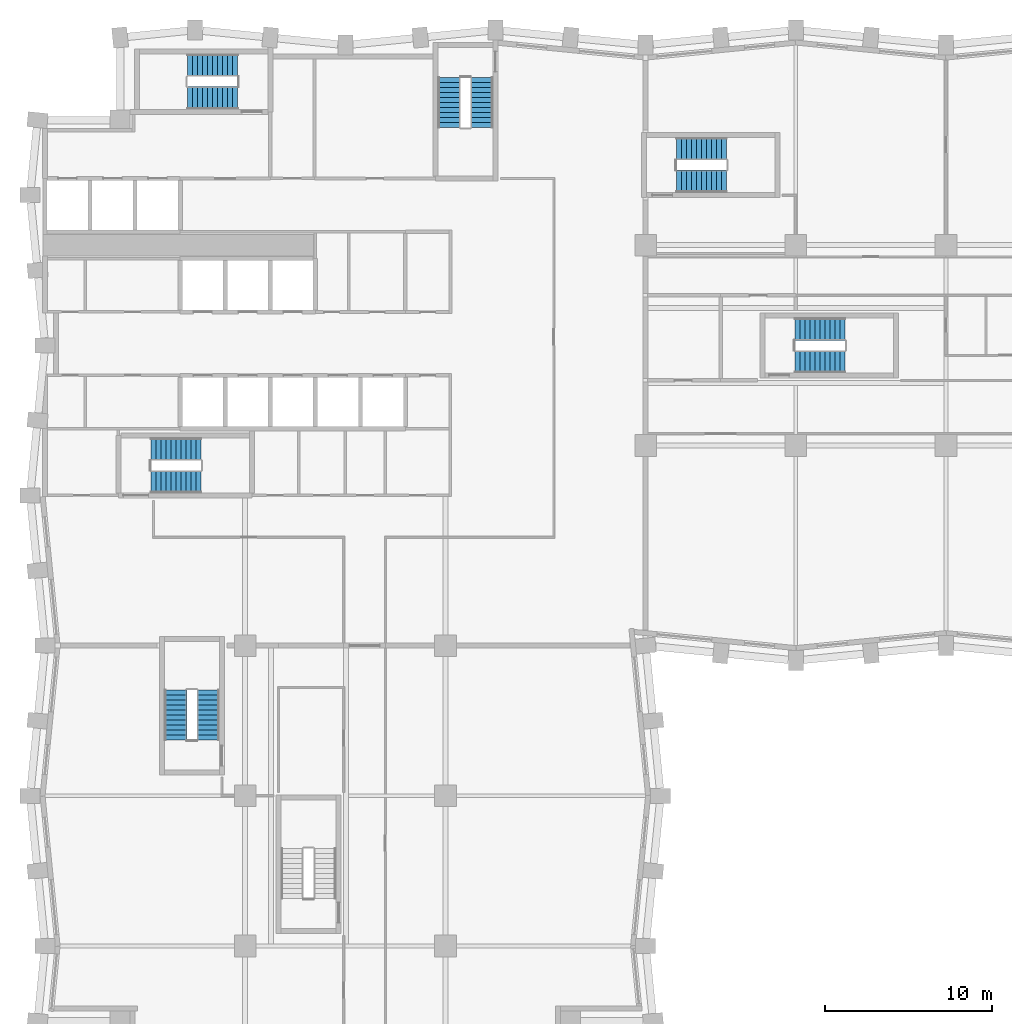
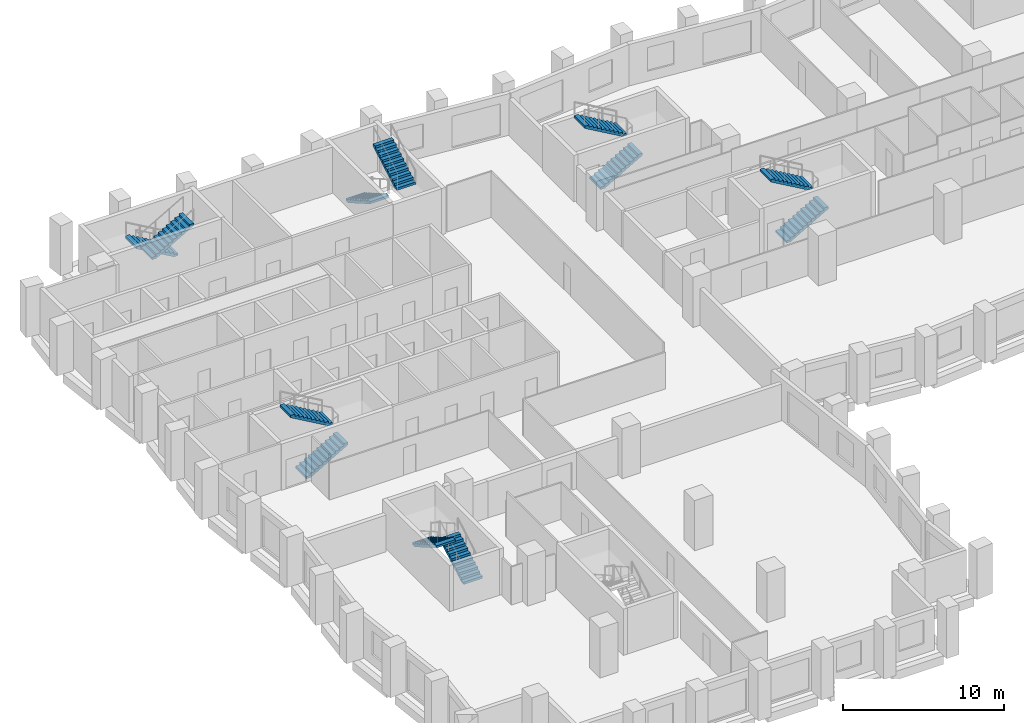
# One storey, part 9 of 11: 12 stair flights, 6 elements without a shape of their own.
"""IFC4 building model written with IfcOpenShell, lengths in metres."""

from ifc_helpers import new_model, si_unit, direction, frame, origin, place, context, subcontext, project, spatial, polyline, outline, extrude, material, type_object, element, aggregate, save


model = new_model("IFC4")

# Units and contexts
model_context = context("Model", 3, precision=1e-05, world=origin(), true_north=direction((0.0, 1.0)))
body_context = subcontext(model_context, "Body", "Model", "MODEL_VIEW")
ifc_project = project(units=[si_unit("LENGTHUNIT", "METRE"), si_unit("AREAUNIT", "SQUARE_METRE"), si_unit("VOLUMEUNIT", "CUBIC_METRE"), si_unit("PLANEANGLEUNIT", "RADIAN"), si_unit("MASSUNIT", "GRAM", prefix="KILO")], contexts=[model_context])

# Site, building, storey
site_placement = place(None, origin())
site = spatial("IfcSite", under=ifc_project, at=site_placement, CompositionType="ELEMENT")
building_placement = place(site_placement, origin())
building = spatial("IfcBuilding", under=site, at=building_placement, Name="Brondeck Convention Tower", CompositionType="ELEMENT")
storey_placement = place(building_placement, frame((0.0, 0.0, 118.89990234375)))
storey = spatial("IfcBuildingStorey", under=building, at=storey_placement, Name="L28", CompositionType="ELEMENT", Elevation=118.89990234375)

# Stair, stair flights
ifc_material = material(Name="Precast concrete C50/60", Category="concrete")
stair_type = type_object("IfcStairType", Name="Core stair 22 risers 172.73 mm riser 300 mm going 1350 wide", PredefinedType="HALF_TURN_STAIR", material=ifc_material)
stair_1_placement = place(storey_placement, origin())
stair_1 = element("IfcStair", 1, at=stair_1_placement, inside=storey, type_object=stair_type, Name="ST-1 L28 stair", PredefinedType="HALF_TURN_STAIR")
stair_flight_type = type_object("IfcStairFlightType", Name="Core stair flight 22 risers 172.73 mm riser 300 mm going 1350 wide", PredefinedType="STRAIGHT", material=ifc_material)
stair_flight_1_placement = place(storey_placement, frame((6.35009765625, 36.824951171875, 0.0), z_axis=(0.0, 0.0, 1.0), x_axis=(1.0, 0.0, 0.0)))
stair_flight_1 = element("IfcStairFlight", 2, at=stair_flight_1_placement, type_object=stair_flight_type, Name="ST-1 flight 1", NumberOfRisers=11, NumberOfTreads=10, PredefinedType="STRAIGHT", RiserHeight=0.172727273, TreadLength=0.3, context=body_context, shape_type="SweptSolid", body=[
    extrude(outline(polyline([(0.0, 0.0), (0.0, 0.172607421875), (0.300048828125, 0.172607421875), (0.300048828125, 0.345458984375), (0.60009765625, 0.345458984375), (0.60009765625, 0.51806640625), (0.89990234375, 0.51806640625), (0.89990234375, 0.69091796875), (1.199951171875, 0.69091796875), (1.199951171875, 0.863525390625), (1.5, 0.863525390625), (1.5, 1.036376953125), (1.800048828125, 1.036376953125), (1.800048828125, 1.208984375), (2.10009765625, 1.208984375), (2.10009765625, 1.3818359375), (2.39990234375, 1.3818359375), (2.39990234375, 1.554443359375), (2.699951171875, 1.554443359375), (2.699951171875, 1.727294921875), (3.0, 1.727294921875), (3.0, 1.89990234375), (3.0, 1.55419921875), (0.300537109375, 0.0), (0.0, 0.0)])), frame((0.0, 0.675048828125, 0.0), z_axis=(0.0, -1.0, 0.0), x_axis=(1.0, 0.0, 0.0)), (0.0, 0.0, 1.0), 1.35009765625),
])
stair_flight_2_placement = place(storey_placement, frame((9.35009765625, 38.77490234375, 1.900146484375), z_axis=(0.0, 0.0, 1.0), x_axis=(-1.0, 0.0, 0.0)))
stair_flight_2 = element("IfcStairFlight", 3, at=stair_flight_2_placement, type_object=stair_flight_type, Name="ST-1 flight 2", NumberOfRisers=11, NumberOfTreads=10, PredefinedType="STRAIGHT", RiserHeight=0.172727273, TreadLength=0.3, context=body_context, shape_type="SweptSolid", body=[
    extrude(outline(polyline([(0.0, 0.0), (0.0, 0.172607421875), (0.300048828125, 0.172607421875), (0.300048828125, 0.345458984375), (0.60009765625, 0.345458984375), (0.60009765625, 0.51806640625), (0.89990234375, 0.51806640625), (0.89990234375, 0.69091796875), (1.199951171875, 0.69091796875), (1.199951171875, 0.863525390625), (1.5, 0.863525390625), (1.5, 1.036376953125), (1.800048828125, 1.036376953125), (1.800048828125, 1.208984375), (2.10009765625, 1.208984375), (2.10009765625, 1.3818359375), (2.39990234375, 1.3818359375), (2.39990234375, 1.554443359375), (2.699951171875, 1.554443359375), (2.699951171875, 1.727294921875), (3.0, 1.727294921875), (3.0, 1.89990234375), (3.0, 1.55419921875), (0.300537109375, 0.0), (0.0, 0.0)])), frame((0.0, 0.675048828125, 0.0), z_axis=(0.0, -1.0, 0.0), x_axis=(1.0, 0.0, 0.0)), (0.0, 0.0, 1.0), 1.35009765625),
])
aggregate(stair_1, [stair_flight_1, stair_flight_2])

stair_2_placement = place(storey_placement, origin())
stair_2 = element("IfcStair", 4, at=stair_2_placement, inside=storey, type_object=stair_type, Name="ST-2 L28 stair", PredefinedType="HALF_TURN_STAIR")
stair_flight_3_placement = place(storey_placement, frame((24.22509765625, 61.050048828125, 0.0), z_axis=(0.0, 0.0, 1.0), x_axis=(0.0, -1.0, 0.0)))
stair_flight_3 = element("IfcStairFlight", 5, at=stair_flight_3_placement, type_object=stair_flight_type, Name="ST-2 flight 1", NumberOfRisers=11, NumberOfTreads=10, PredefinedType="STRAIGHT", RiserHeight=0.172727273, TreadLength=0.3, context=body_context, shape_type="SweptSolid", body=[
    extrude(outline(polyline([(0.0, 0.0), (0.0, 0.172607421875), (0.300048828125, 0.172607421875), (0.300048828125, 0.345458984375), (0.60009765625, 0.345458984375), (0.60009765625, 0.51806640625), (0.89990234375, 0.51806640625), (0.89990234375, 0.69091796875), (1.199951171875, 0.69091796875), (1.199951171875, 0.863525390625), (1.5, 0.863525390625), (1.5, 1.036376953125), (1.800048828125, 1.036376953125), (1.800048828125, 1.208984375), (2.10009765625, 1.208984375), (2.10009765625, 1.3818359375), (2.39990234375, 1.3818359375), (2.39990234375, 1.554443359375), (2.699951171875, 1.554443359375), (2.699951171875, 1.727294921875), (3.0, 1.727294921875), (3.0, 1.89990234375), (3.0, 1.55419921875), (0.300537109375, 0.0), (0.0, 0.0)])), frame((0.0, 0.675048828125, 0.0), z_axis=(0.0, -1.0, 0.0), x_axis=(1.0, 0.0, 0.0)), (0.0, 0.0, 1.0), 1.35009765625),
])
stair_flight_4_placement = place(storey_placement, frame((26.175048828125, 58.050048828125, 1.900146484375), z_axis=(0.0, 0.0, 1.0), x_axis=(0.0, 1.0, 0.0)))
stair_flight_4 = element("IfcStairFlight", 6, at=stair_flight_4_placement, type_object=stair_flight_type, Name="ST-2 flight 2", NumberOfRisers=11, NumberOfTreads=10, PredefinedType="STRAIGHT", RiserHeight=0.172727273, TreadLength=0.3, context=body_context, shape_type="SweptSolid", body=[
    extrude(outline(polyline([(0.0, 0.0), (0.0, 0.172607421875), (0.300048828125, 0.172607421875), (0.300048828125, 0.345458984375), (0.60009765625, 0.345458984375), (0.60009765625, 0.51806640625), (0.89990234375, 0.51806640625), (0.89990234375, 0.69091796875), (1.199951171875, 0.69091796875), (1.199951171875, 0.863525390625), (1.5, 0.863525390625), (1.5, 1.036376953125), (1.800048828125, 1.036376953125), (1.800048828125, 1.208984375), (2.10009765625, 1.208984375), (2.10009765625, 1.3818359375), (2.39990234375, 1.3818359375), (2.39990234375, 1.554443359375), (2.699951171875, 1.554443359375), (2.699951171875, 1.727294921875), (3.0, 1.727294921875), (3.0, 1.89990234375), (3.0, 1.55419921875), (0.300537109375, 0.0), (0.0, 0.0)])), frame((0.0, 0.675048828125, 0.0), z_axis=(0.0, -1.0, 0.0), x_axis=(1.0, 0.0, 0.0)), (0.0, 0.0, 1.0), 1.35009765625),
])
aggregate(stair_2, [stair_flight_3, stair_flight_4])

stair_3_placement = place(storey_placement, origin())
stair_3 = element("IfcStair", 7, at=stair_3_placement, inside=storey, type_object=stair_type, Name="ST-3 L28 stair", PredefinedType="HALF_TURN_STAIR")
stair_flight_5_placement = place(storey_placement, frame((11.550048828125, 61.77490234375, 0.0), z_axis=(0.0, 0.0, 1.0), x_axis=(-1.0, 0.0, 0.0)))
stair_flight_5 = element("IfcStairFlight", 8, at=stair_flight_5_placement, type_object=stair_flight_type, Name="ST-3 flight 1", NumberOfRisers=11, NumberOfTreads=10, PredefinedType="STRAIGHT", RiserHeight=0.172727273, TreadLength=0.3, context=body_context, shape_type="SweptSolid", body=[
    extrude(outline(polyline([(0.0, 0.0), (0.0, 0.172607421875), (0.300048828125, 0.172607421875), (0.300048828125, 0.345458984375), (0.60009765625, 0.345458984375), (0.60009765625, 0.51806640625), (0.89990234375, 0.51806640625), (0.89990234375, 0.69091796875), (1.199951171875, 0.69091796875), (1.199951171875, 0.863525390625), (1.5, 0.863525390625), (1.5, 1.036376953125), (1.800048828125, 1.036376953125), (1.800048828125, 1.208984375), (2.10009765625, 1.208984375), (2.10009765625, 1.3818359375), (2.39990234375, 1.3818359375), (2.39990234375, 1.554443359375), (2.699951171875, 1.554443359375), (2.699951171875, 1.727294921875), (3.0, 1.727294921875), (3.0, 1.89990234375), (3.0, 1.55419921875), (0.300537109375, 0.0), (0.0, 0.0)])), frame((0.0, 0.675048828125, 0.0), z_axis=(0.0, -1.0, 0.0), x_axis=(1.0, 0.0, 0.0)), (0.0, 0.0, 1.0), 1.35009765625),
])
stair_flight_6_placement = place(storey_placement, frame((8.550048828125, 59.824951171875, 1.900146484375), z_axis=(0.0, 0.0, 1.0), x_axis=(1.0, 0.0, 0.0)))
stair_flight_6 = element("IfcStairFlight", 9, at=stair_flight_6_placement, type_object=stair_flight_type, Name="ST-3 flight 2", NumberOfRisers=11, NumberOfTreads=10, PredefinedType="STRAIGHT", RiserHeight=0.172727273, TreadLength=0.3, context=body_context, shape_type="SweptSolid", body=[
    extrude(outline(polyline([(0.0, 0.0), (0.0, 0.172607421875), (0.300048828125, 0.172607421875), (0.300048828125, 0.345458984375), (0.60009765625, 0.345458984375), (0.60009765625, 0.51806640625), (0.89990234375, 0.51806640625), (0.89990234375, 0.69091796875), (1.199951171875, 0.69091796875), (1.199951171875, 0.863525390625), (1.5, 0.863525390625), (1.5, 1.036376953125), (1.800048828125, 1.036376953125), (1.800048828125, 1.208984375), (2.10009765625, 1.208984375), (2.10009765625, 1.3818359375), (2.39990234375, 1.3818359375), (2.39990234375, 1.554443359375), (2.699951171875, 1.554443359375), (2.699951171875, 1.727294921875), (3.0, 1.727294921875), (3.0, 1.89990234375), (3.0, 1.55419921875), (0.300537109375, 0.0), (0.0, 0.0)])), frame((0.0, 0.675048828125, 0.0), z_axis=(0.0, -1.0, 0.0), x_axis=(1.0, 0.0, 0.0)), (0.0, 0.0, 1.0), 1.35009765625),
])
aggregate(stair_3, [stair_flight_5, stair_flight_6])

stair_4_placement = place(storey_placement, origin())
stair_4 = element("IfcStair", 10, at=stair_4_placement, inside=storey, type_object=stair_type, Name="ST-AE L28 stair", PredefinedType="HALF_TURN_STAIR")
stair_flight_7_placement = place(storey_placement, frame((37.85009765625, 54.824951171875, 0.0), z_axis=(0.0, 0.0, 1.0), x_axis=(1.0, 0.0, 0.0)))
stair_flight_7 = element("IfcStairFlight", 11, at=stair_flight_7_placement, type_object=stair_flight_type, Name="ST-AE flight 1", NumberOfRisers=11, NumberOfTreads=10, PredefinedType="STRAIGHT", RiserHeight=0.172727273, TreadLength=0.3, context=body_context, shape_type="SweptSolid", body=[
    extrude(outline(polyline([(0.0, 0.0), (0.0, 0.172607421875), (0.300048828125, 0.172607421875), (0.300048828125, 0.345458984375), (0.60009765625, 0.345458984375), (0.60009765625, 0.51806640625), (0.89990234375, 0.51806640625), (0.89990234375, 0.69091796875), (1.199951171875, 0.69091796875), (1.199951171875, 0.863525390625), (1.5, 0.863525390625), (1.5, 1.036376953125), (1.800048828125, 1.036376953125), (1.800048828125, 1.208984375), (2.10009765625, 1.208984375), (2.10009765625, 1.3818359375), (2.39990234375, 1.3818359375), (2.39990234375, 1.554443359375), (2.699951171875, 1.554443359375), (2.699951171875, 1.727294921875), (3.0, 1.727294921875), (3.0, 1.89990234375), (3.0, 1.55419921875), (0.300537109375, 0.0), (0.0, 0.0)])), frame((0.0, 0.675048828125, 0.0), z_axis=(0.0, -1.0, 0.0), x_axis=(1.0, 0.0, 0.0)), (0.0, 0.0, 1.0), 1.35009765625),
])
stair_flight_8_placement = place(storey_placement, frame((40.85009765625, 56.77490234375, 1.900146484375), z_axis=(0.0, 0.0, 1.0), x_axis=(-1.0, 0.0, 0.0)))
stair_flight_8 = element("IfcStairFlight", 12, at=stair_flight_8_placement, type_object=stair_flight_type, Name="ST-AE flight 2", NumberOfRisers=11, NumberOfTreads=10, PredefinedType="STRAIGHT", RiserHeight=0.172727273, TreadLength=0.3, context=body_context, shape_type="SweptSolid", body=[
    extrude(outline(polyline([(0.0, 0.0), (0.0, 0.172607421875), (0.300048828125, 0.172607421875), (0.300048828125, 0.345458984375), (0.60009765625, 0.345458984375), (0.60009765625, 0.51806640625), (0.89990234375, 0.51806640625), (0.89990234375, 0.69091796875), (1.199951171875, 0.69091796875), (1.199951171875, 0.863525390625), (1.5, 0.863525390625), (1.5, 1.036376953125), (1.800048828125, 1.036376953125), (1.800048828125, 1.208984375), (2.10009765625, 1.208984375), (2.10009765625, 1.3818359375), (2.39990234375, 1.3818359375), (2.39990234375, 1.554443359375), (2.699951171875, 1.554443359375), (2.699951171875, 1.727294921875), (3.0, 1.727294921875), (3.0, 1.89990234375), (3.0, 1.55419921875), (0.300537109375, 0.0), (0.0, 0.0)])), frame((0.0, 0.675048828125, 0.0), z_axis=(0.0, -1.0, 0.0), x_axis=(1.0, 0.0, 0.0)), (0.0, 0.0, 1.0), 1.35009765625),
])
aggregate(stair_4, [stair_flight_7, stair_flight_8])

stair_5_placement = place(storey_placement, origin())
stair_5 = element("IfcStair", 13, at=stair_5_placement, inside=storey, type_object=stair_type, Name="ST-BE L28 stair", PredefinedType="HALF_TURN_STAIR")
stair_flight_9_placement = place(storey_placement, frame((9.77490234375, 21.35009765625, 0.0), z_axis=(0.0, 0.0, 1.0), x_axis=(0.0, 1.0, 0.0)))
stair_flight_9 = element("IfcStairFlight", 14, at=stair_flight_9_placement, type_object=stair_flight_type, Name="ST-BE flight 1", NumberOfRisers=11, NumberOfTreads=10, PredefinedType="STRAIGHT", RiserHeight=0.172727273, TreadLength=0.3, context=body_context, shape_type="SweptSolid", body=[
    extrude(outline(polyline([(0.0, 0.0), (0.0, 0.172607421875), (0.300048828125, 0.172607421875), (0.300048828125, 0.345458984375), (0.60009765625, 0.345458984375), (0.60009765625, 0.51806640625), (0.89990234375, 0.51806640625), (0.89990234375, 0.69091796875), (1.199951171875, 0.69091796875), (1.199951171875, 0.863525390625), (1.5, 0.863525390625), (1.5, 1.036376953125), (1.800048828125, 1.036376953125), (1.800048828125, 1.208984375), (2.10009765625, 1.208984375), (2.10009765625, 1.3818359375), (2.39990234375, 1.3818359375), (2.39990234375, 1.554443359375), (2.699951171875, 1.554443359375), (2.699951171875, 1.727294921875), (3.0, 1.727294921875), (3.0, 1.89990234375), (3.0, 1.55419921875), (0.300537109375, 0.0), (0.0, 0.0)])), frame((0.0, 0.675048828125, 0.0), z_axis=(0.0, -1.0, 0.0), x_axis=(1.0, 0.0, 0.0)), (0.0, 0.0, 1.0), 1.35009765625),
])
stair_flight_10_placement = place(storey_placement, frame((7.824951171875, 24.35009765625, 1.900146484375), z_axis=(0.0, 0.0, 1.0), x_axis=(0.0, -1.0, 0.0)))
stair_flight_10 = element("IfcStairFlight", 15, at=stair_flight_10_placement, type_object=stair_flight_type, Name="ST-BE flight 2", NumberOfRisers=11, NumberOfTreads=10, PredefinedType="STRAIGHT", RiserHeight=0.172727273, TreadLength=0.3, context=body_context, shape_type="SweptSolid", body=[
    extrude(outline(polyline([(0.0, 0.0), (0.0, 0.172607421875), (0.300048828125, 0.172607421875), (0.300048828125, 0.345458984375), (0.60009765625, 0.345458984375), (0.60009765625, 0.51806640625), (0.89990234375, 0.51806640625), (0.89990234375, 0.69091796875), (1.199951171875, 0.69091796875), (1.199951171875, 0.863525390625), (1.5, 0.863525390625), (1.5, 1.036376953125), (1.800048828125, 1.036376953125), (1.800048828125, 1.208984375), (2.10009765625, 1.208984375), (2.10009765625, 1.3818359375), (2.39990234375, 1.3818359375), (2.39990234375, 1.554443359375), (2.699951171875, 1.554443359375), (2.699951171875, 1.727294921875), (3.0, 1.727294921875), (3.0, 1.89990234375), (3.0, 1.55419921875), (0.300537109375, 0.0), (0.0, 0.0)])), frame((0.0, 0.675048828125, 0.0), z_axis=(0.0, -1.0, 0.0), x_axis=(1.0, 0.0, 0.0)), (0.0, 0.0, 1.0), 1.35009765625),
])
aggregate(stair_5, [stair_flight_9, stair_flight_10])

stair_6_placement = place(storey_placement, origin())
stair_6 = element("IfcStair", 16, at=stair_6_placement, inside=storey, type_object=stair_type, Name="ST-AF L28 stair", PredefinedType="HALF_TURN_STAIR")
stair_flight_11_placement = place(storey_placement, frame((44.949951171875, 44.02490234375, 0.0), z_axis=(0.0, 0.0, 1.0), x_axis=(1.0, 0.0, 0.0)))
stair_flight_11 = element("IfcStairFlight", 17, at=stair_flight_11_placement, type_object=stair_flight_type, Name="ST-AF flight 1", NumberOfRisers=11, NumberOfTreads=10, PredefinedType="STRAIGHT", RiserHeight=0.172727273, TreadLength=0.3, context=body_context, shape_type="SweptSolid", body=[
    extrude(outline(polyline([(0.0, 0.0), (0.0, 0.172607421875), (0.300048828125, 0.172607421875), (0.300048828125, 0.345458984375), (0.60009765625, 0.345458984375), (0.60009765625, 0.51806640625), (0.89990234375, 0.51806640625), (0.89990234375, 0.69091796875), (1.199951171875, 0.69091796875), (1.199951171875, 0.863525390625), (1.5, 0.863525390625), (1.5, 1.036376953125), (1.800048828125, 1.036376953125), (1.800048828125, 1.208984375), (2.10009765625, 1.208984375), (2.10009765625, 1.3818359375), (2.39990234375, 1.3818359375), (2.39990234375, 1.554443359375), (2.699951171875, 1.554443359375), (2.699951171875, 1.727294921875), (3.0, 1.727294921875), (3.0, 1.89990234375), (3.0, 1.55419921875), (0.300537109375, 0.0), (0.0, 0.0)])), frame((0.0, 0.675048828125, 0.0), z_axis=(0.0, -1.0, 0.0), x_axis=(1.0, 0.0, 0.0)), (0.0, 0.0, 1.0), 1.35009765625),
])
stair_flight_12_placement = place(storey_placement, frame((47.949951171875, 45.97509765625, 1.900146484375), z_axis=(0.0, 0.0, 1.0), x_axis=(-1.0, 0.0, 0.0)))
stair_flight_12 = element("IfcStairFlight", 18, at=stair_flight_12_placement, type_object=stair_flight_type, Name="ST-AF flight 2", NumberOfRisers=11, NumberOfTreads=10, PredefinedType="STRAIGHT", RiserHeight=0.172727273, TreadLength=0.3, context=body_context, shape_type="SweptSolid", body=[
    extrude(outline(polyline([(0.0, 0.0), (0.0, 0.172607421875), (0.300048828125, 0.172607421875), (0.300048828125, 0.345458984375), (0.60009765625, 0.345458984375), (0.60009765625, 0.51806640625), (0.89990234375, 0.51806640625), (0.89990234375, 0.69091796875), (1.199951171875, 0.69091796875), (1.199951171875, 0.863525390625), (1.5, 0.863525390625), (1.5, 1.036376953125), (1.800048828125, 1.036376953125), (1.800048828125, 1.208984375), (2.10009765625, 1.208984375), (2.10009765625, 1.3818359375), (2.39990234375, 1.3818359375), (2.39990234375, 1.554443359375), (2.699951171875, 1.554443359375), (2.699951171875, 1.727294921875), (3.0, 1.727294921875), (3.0, 1.89990234375), (3.0, 1.55419921875), (0.300537109375, 0.0), (0.0, 0.0)])), frame((0.0, 0.675048828125, 0.0), z_axis=(0.0, -1.0, 0.0), x_axis=(1.0, 0.0, 0.0)), (0.0, 0.0, 1.0), 1.35009765625),
])
aggregate(stair_6, [stair_flight_11, stair_flight_12])

save(model, "model.ifc")
